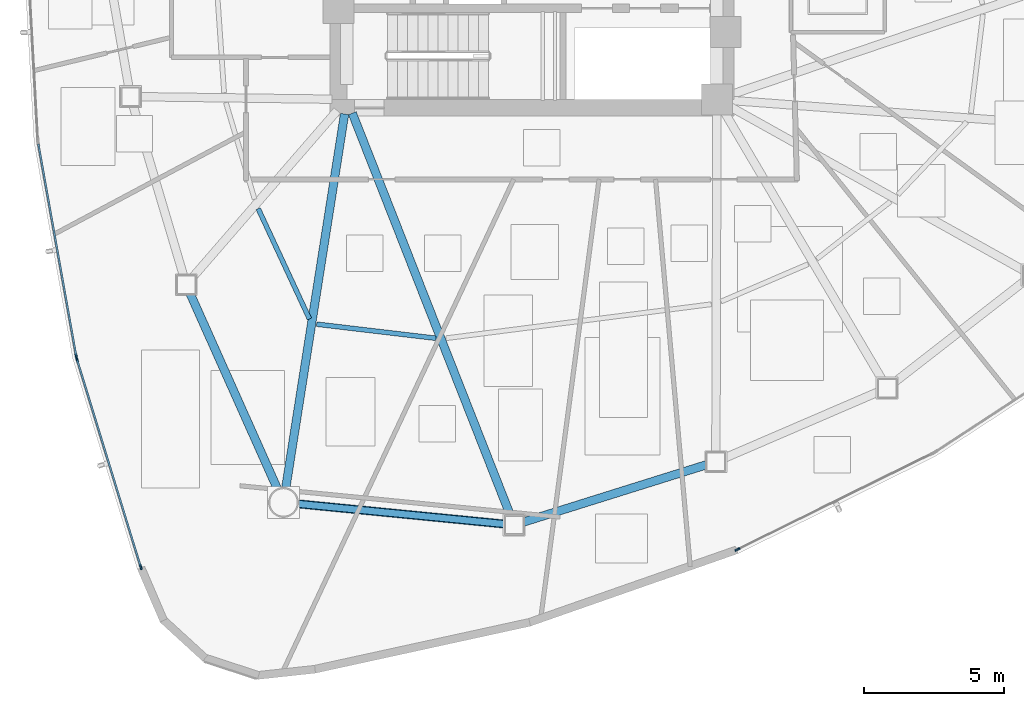
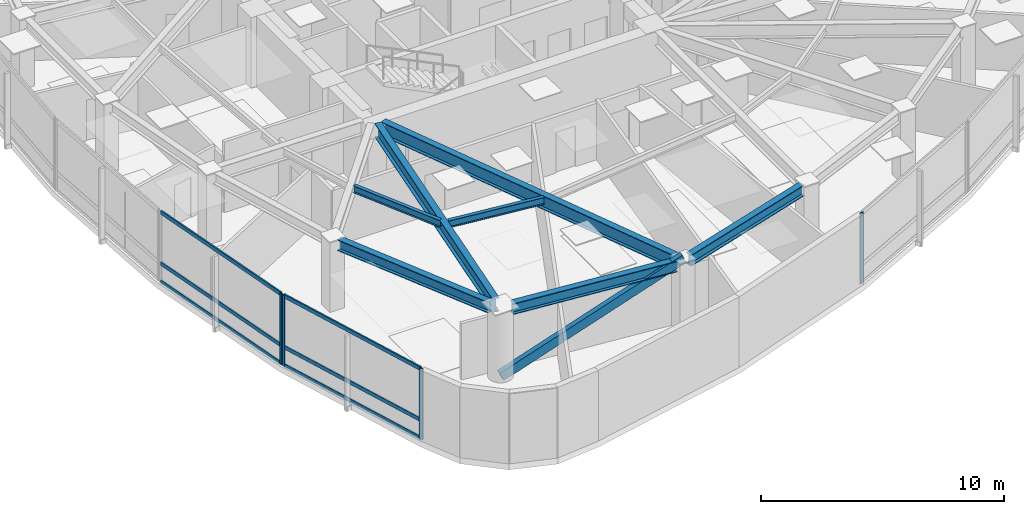
# One storey, part 2 of 18: 11 members, 7 beams, 3 elements without a shape of their own.
"""IFC4 building model written with IfcOpenShell, lengths in metres."""

from ifc_helpers import new_model, si_unit, direction, frame, origin, origin_2d, place, context, subcontext, project, spatial, hollow_rectangle, i_section, extrude, source, transform, mapped, material, layer, layer_set, material_profile, profile_set, type_object, type_shapes, element, aggregate, save


model = new_model("IFC4")

# Units and contexts
model_context = context("Model", 3, precision=1e-05, world=origin(), true_north=direction((0.0, 1.0)))
body_context = subcontext(model_context, "Body", "Model", "MODEL_VIEW")
ifc_project = project(units=[si_unit("LENGTHUNIT", "METRE"), si_unit("AREAUNIT", "SQUARE_METRE"), si_unit("VOLUMEUNIT", "CUBIC_METRE"), si_unit("PLANEANGLEUNIT", "RADIAN"), si_unit("MASSUNIT", "GRAM", prefix="KILO")], contexts=[model_context])

# Site, building, storey
site_placement = place(None, origin())
site = spatial("IfcSite", under=ifc_project, at=site_placement, CompositionType="ELEMENT")
building_placement = place(site_placement, origin())
building = spatial("IfcBuilding", under=site, at=building_placement, Name="Tavelor Broadcast Tower", CompositionType="ELEMENT")
storey_placement = place(building_placement, frame((0.0, 0.0, 157.949951171875)))
storey = spatial("IfcBuildingStorey", under=building, at=storey_placement, Name="L37", CompositionType="ELEMENT", Elevation=157.949951171875)

# Beams
ifc_material_1 = material(Name="Steel S355", Category="steel")
ifc_material_profile_1 = material_profile(ifc_material_1, i_section(OverallWidth=0.169921875, OverallDepth=0.360107421875, WebThickness=0.008056640625, FlangeThickness=0.0126953125, at=origin_2d()), Name="IPE 360")
ifc_profile_set_1 = profile_set([ifc_material_profile_1], Name="Steel S355")
beam_type_1 = type_object("IfcBeamType", Name="Composite Floor Joist T3 IPE 360", PredefinedType="JOIST", material=ifc_profile_set_1)
beam_1_placement = place(storey_placement, frame((40.237548828125, 34.901123046875, 3.3701171875), z_axis=(0.421480014114, -0.906837690936, 0.0), x_axis=(0.906837690936, 0.421480014114, 0.0)))
element("IfcBeam", 1, at=beam_1_placement, inside=storey, type_object=beam_type_1, Name="L37 Secondary Composite Floor Joist 06", PredefinedType="JOIST", context=body_context, shape_type="SweptSolid", body=[
    extrude(i_section(OverallWidth=0.169921875, OverallDepth=0.360107421875, WebThickness=0.008056640625, FlangeThickness=0.0126953125, at=origin_2d()), origin(), (0.0, 0.0, 1.0), 4.337890625),
])
beam_2_placement = place(storey_placement, frame((42.32177734375, 30.781982421875, 3.3701171875), z_axis=(0.993083165759, -0.117413056713, 0.0), x_axis=(0.117413056713, 0.993083165759, 0.0)))
element("IfcBeam", 2, at=beam_2_placement, inside=storey, type_object=beam_type_1, Name="L37 Secondary Composite Floor Joist 07", PredefinedType="JOIST", context=body_context, shape_type="SweptSolid", body=[
    extrude(i_section(OverallWidth=0.169921875, OverallDepth=0.360107421875, WebThickness=0.008056640625, FlangeThickness=0.0126953125, at=origin_2d()), origin(), (0.0, 0.0, 1.0), 4.285400390625),
])
ifc_material_profile_2 = material_profile(ifc_material_1, i_section(OverallWidth=0.300048828125, OverallDepth=0.550048828125, WebThickness=0.014892578125, FlangeThickness=0.029052734375, at=origin_2d()), Name="HEB 550")
ifc_profile_set_2 = profile_set([ifc_material_profile_2], Name="Steel S355")
beam_type_2 = type_object("IfcBeamType", Name="Perimeter Spandrel Beam T3 HEB 550", PredefinedType="SPANDREL", material=ifc_profile_set_2)
beam_3_placement = place(storey_placement, frame((37.80517578125, 31.883544921875, 3.275146484375), z_axis=(0.407977377403, -0.912992036946, 0.0), x_axis=(0.912992036946, 0.407977377403, 0.0)))
element("IfcBeam", 3, at=beam_3_placement, inside=storey, type_object=beam_type_2, Name="L37 Framed-Tube Ring Spandrel 06", PredefinedType="SPANDREL", context=body_context, shape_type="SweptSolid", body=[
    extrude(i_section(OverallWidth=0.300048828125, OverallDepth=0.550048828125, WebThickness=0.014892578125, FlangeThickness=0.029052734375, at=origin_2d()), origin(), (0.0, 0.0, 1.0), 7.658447265625),
])
beam_4_placement = place(storey_placement, frame((41.6484375, 24.373779296875, 3.275146484375), z_axis=(0.995250868203, -0.097343255237, 0.0), x_axis=(0.097343255237, 0.995250868203, 0.0)))
element("IfcBeam", 4, at=beam_4_placement, inside=storey, type_object=beam_type_2, Name="L37 Framed-Tube Ring Spandrel 07", PredefinedType="SPANDREL", context=body_context, shape_type="SweptSolid", body=[
    extrude(i_section(OverallWidth=0.300048828125, OverallDepth=0.550048828125, WebThickness=0.014892578125, FlangeThickness=0.029052734375, at=origin_2d()), origin(), (0.0, 0.0, 1.0), 7.418701171875),
])
beam_5_placement = place(storey_placement, frame((49.68701171875, 23.719482421875, 3.275146484375), z_axis=(0.954271632066, 0.29894088418, 0.0), x_axis=(-0.29894088418, 0.954271632066, 0.0)))
element("IfcBeam", 5, at=beam_5_placement, inside=storey, type_object=beam_type_2, Name="L37 Framed-Tube Ring Spandrel 08", PredefinedType="SPANDREL", context=body_context, shape_type="SweptSolid", body=[
    extrude(i_section(OverallWidth=0.300048828125, OverallDepth=0.550048828125, WebThickness=0.014892578125, FlangeThickness=0.029052734375, at=origin_2d()), origin(), (0.0, 0.0, 1.0), 6.867431640625),
])

# Member
ifc_material_profile_3 = material_profile(ifc_material_1, hollow_rectangle(XDim=0.25, YDim=0.449951171875, WallThickness=0.02001953125, at=origin_2d()), Name="RHS 450x250x20")
ifc_profile_set_3 = profile_set([ifc_material_profile_3], Name="Steel S355")
member_type_1 = type_object("IfcMemberType", Name="Perimeter Tube Brace T3 RHS 450x250x20", PredefinedType="BRACE", material=ifc_profile_set_3)
member_1_placement = place(storey_placement, frame((41.138671875, 24.423828125, 0.0), z_axis=(0.914496364203, -0.089466025126, 0.394578547577), x_axis=(0.097366094377, 0.995248634094, 0.0)))
element("IfcMember", 6, at=member_1_placement, inside=storey, type_object=member_type_1, Name="L37 Corner Tube Diagonal Brace 2", PredefinedType="BRACE", context=body_context, shape_type="SweptSolid", body=[
    extrude(hollow_rectangle(XDim=0.25, YDim=0.449951171875, WallThickness=0.02001953125, at=origin_2d()), origin(), (0.0, 0.0, 1.0), 8.9970703125),
])

# Beams
ifc_material_profile_4 = material_profile(ifc_material_1, i_section(OverallWidth=0.300048828125, OverallDepth=0.68994140625, WebThickness=0.014404296875, FlangeThickness=0.027099609375, at=origin_2d()), Name="HEA 700")
ifc_profile_set_4 = profile_set([ifc_material_profile_4], Name="Steel S355")
beam_type_3 = type_object("IfcBeamType", Name="Radial Floor Girder T3 HEA 700", PredefinedType="BEAM", material=ifc_profile_set_4)
beam_6_placement = place(storey_placement, frame((43.318115234375, 38.2783203125, 3.205078125), z_axis=(-0.1553975273, -0.987852017515, 0.0), x_axis=(0.987852017515, -0.1553975273, 0.0)))
element("IfcBeam", 7, at=beam_6_placement, inside=storey, type_object=beam_type_3, Name="L37 Radial Primary Floor Girder 07", PredefinedType="BEAM", context=body_context, shape_type="SweptSolid", body=[
    extrude(i_section(OverallWidth=0.300048828125, OverallDepth=0.68994140625, WebThickness=0.014404296875, FlangeThickness=0.027099609375, at=origin_2d()), origin(), (0.0, 0.0, 1.0), 13.5126953125),
])
beam_7_placement = place(storey_placement, frame((43.593017578125, 38.30859375, 3.205078125), z_axis=(0.365795149989, -0.930695389612, 0.0), x_axis=(0.930695389612, 0.365795149989, 0.0)))
element("IfcBeam", 8, at=beam_7_placement, inside=storey, type_object=beam_type_3, Name="L37 Radial Primary Floor Girder 08", PredefinedType="BEAM", context=body_context, shape_type="SweptSolid", body=[
    extrude(i_section(OverallWidth=0.300048828125, OverallDepth=0.68994140625, WebThickness=0.014404296875, FlangeThickness=0.027099609375, at=origin_2d()), origin(), (0.0, 0.0, 1.0), 15.447509765625),
])

# Curtain wall, member
ifc_material_2 = material(Name="Architectural Anodized Aluminium", Category="aluminium")
ifc_layer = layer(ifc_material_2, 0.18994140625)
ifc_layer_set = layer_set([ifc_layer], Name="Architectural Anodized Aluminium")
curtain_wall_type = type_object("IfcCurtainWallType", Name="Tower Mid-Zone Acoustic Curtain Wall CW03", PredefinedType="NOTDEFINED", material=ifc_layer_set)
curtain_wall_1_placement = place(storey_placement, origin())
curtain_wall_1 = element("IfcCurtainWall", 9, at=curtain_wall_1_placement, inside=storey, type_object=curtain_wall_type, Name="L37 Curtain Wall CW03 Run 387", PredefinedType="NOTDEFINED")
ifc_material_profile_5 = material_profile(ifc_material_2, hollow_rectangle(XDim=0.068115234375, YDim=0.18994140625, WallThickness=0.02197265625, at=origin_2d()), Name="RHS 68x190x22")
ifc_profile_set_5 = profile_set([ifc_material_profile_5], Name="Architectural Anodized Aluminium")
member_type_2 = type_object("IfcMemberType", Name="CW03 Extruded Aluminium Mullion 68x190", PredefinedType="MULLION", material=ifc_profile_set_5)
shared_shape_1 = source(origin(), body_context, "Body", "SweptSolid", [
    extrude(hollow_rectangle(XDim=0.068115234375, YDim=0.18994140625, WallThickness=0.02197265625, at=origin_2d()), origin(), (0.0, 0.0, 1.0), 3.550048828125),
])
type_shapes(member_type_2, [shared_shape_1])
member_2_placement = place(storey_placement, frame((33.748046875, 29.626708984375, 0.0), z_axis=(0.0, 0.0, 1.0), x_axis=(0.984424566127, 0.175807490189, 0.0)))
member_2 = element("IfcMember", 10, at=member_2_placement, type_object=member_type_2, Name="CW03 mullion 2", PredefinedType="MULLION", context=body_context, shape_type="MappedRepresentation", body=[
    mapped(shared_shape_1, transform((0.0, 0.0, 0.0), scale=1.0)),
])

# Curtain wall, members
curtain_wall_2_placement = place(storey_placement, origin())
curtain_wall_2 = element("IfcCurtainWall", 11, at=curtain_wall_2_placement, inside=storey, type_object=curtain_wall_type, Name="L37 Curtain Wall CW03 Run 388", PredefinedType="NOTDEFINED")
member_3_placement = place(storey_placement, frame((33.77099609375, 29.531494140625, 0.0), z_axis=(0.0, 0.0, 1.0), x_axis=(0.9559124472, 0.293651823232, 0.0)))
member_3 = element("IfcMember", 12, at=member_3_placement, type_object=member_type_2, Name="CW03 mullion 1", PredefinedType="MULLION", context=body_context, shape_type="MappedRepresentation", body=[
    mapped(shared_shape_1, transform((0.0, 0.0, 0.0), scale=1.0)),
])
member_4_placement = place(storey_placement, frame((36.047607421875, 22.120849609375, 0.0), z_axis=(0.0, 0.0, 1.0), x_axis=(0.9559124472, 0.293651823232, 0.0)))
member_4 = element("IfcMember", 13, at=member_4_placement, type_object=member_type_2, Name="CW03 mullion 2", PredefinedType="MULLION", context=body_context, shape_type="MappedRepresentation", body=[
    mapped(shared_shape_1, transform((0.0, 0.0, 0.0), scale=1.0)),
])

# Curtain wall, member
curtain_wall_3_placement = place(storey_placement, origin())
curtain_wall_3 = element("IfcCurtainWall", 14, at=curtain_wall_3_placement, inside=storey, type_object=curtain_wall_type, Name="L37 Curtain Wall CW03 Run 389", PredefinedType="NOTDEFINED")
member_5_placement = place(storey_placement, frame((57.33154296875, 22.742919921875, 0.0), z_axis=(0.0, 0.0, 1.0), x_axis=(-0.441895904807, 0.897066334958, 0.0)))
member_5 = element("IfcMember", 15, at=member_5_placement, type_object=member_type_2, Name="CW03 mullion 1", PredefinedType="MULLION", context=body_context, shape_type="MappedRepresentation", body=[
    mapped(shared_shape_1, transform((0.0, 0.0, 0.0), scale=1.0)),
])
aggregate(curtain_wall_3, [member_5])

# Member
ifc_material_profile_6 = material_profile(ifc_material_2, hollow_rectangle(XDim=0.068115234375, YDim=0.18994140625, WallThickness=0.02197265625, at=origin_2d()), Name="RHS 68x190x22")
ifc_profile_set_6 = profile_set([ifc_material_profile_6], Name="Architectural Anodized Aluminium")
member_type_3 = type_object("IfcMemberType", Name="CW03 Extruded Aluminium Transom 68x190", PredefinedType="USERDEFINED", material=ifc_profile_set_6)
shared_shape_2 = source(origin(), body_context, "Body", "SweptSolid", [
    extrude(hollow_rectangle(XDim=0.068115234375, YDim=0.18994140625, WallThickness=0.02197265625, at=origin_2d()), origin(), (0.0, 0.0, 1.0), 7.66845703125),
])
member_6_placement = place(storey_placement, frame((32.39404296875, 37.209228515625, 0.033935546875), z_axis=(0.175802759276, -0.984425411004, 0.0), x_axis=(0.984425411004, 0.175802759276, 0.0)))
member_6 = element("IfcMember", 16, at=member_6_placement, type_object=member_type_3, Name="CW03 transom 1.1", ObjectType="TRANSOM", PredefinedType="USERDEFINED", context=body_context, shape_type="MappedRepresentation", body=[
    mapped(shared_shape_2, transform((0.0, 0.0, 0.0), scale=1.0)),
])

member_7_placement = place(storey_placement, frame((32.39404296875, 37.209228515625, 0.949951171875), z_axis=(0.175802759276, -0.984425411004, 0.0), x_axis=(0.984425411004, 0.175802759276, 0.0)))
member_7 = element("IfcMember", 17, at=member_7_placement, type_object=member_type_3, Name="CW03 transom 1.2", ObjectType="TRANSOM", PredefinedType="USERDEFINED", context=body_context, shape_type="MappedRepresentation", body=[
    mapped(shared_shape_2, transform((0.0, 0.0, 0.0), scale=1.0)),
])

member_8_placement = place(storey_placement, frame((32.39404296875, 37.209228515625, 3.51611328125), z_axis=(0.175802759276, -0.984425411004, 0.0), x_axis=(0.984425411004, 0.175802759276, 0.0)))
member_8 = element("IfcMember", 18, at=member_8_placement, type_object=member_type_3, Name="CW03 transom 1.3", ObjectType="TRANSOM", PredefinedType="USERDEFINED", context=body_context, shape_type="MappedRepresentation", body=[
    mapped(shared_shape_2, transform((0.0, 0.0, 0.0), scale=1.0)),
])

aggregate(curtain_wall_1, [member_2, member_6, member_7, member_8])

shared_shape_3 = source(origin(), body_context, "Body", "SweptSolid", [
    extrude(hollow_rectangle(XDim=0.068115234375, YDim=0.18994140625, WallThickness=0.02197265625, at=origin_2d()), origin(), (0.0, 0.0, 1.0), 7.6845703125),
])
type_shapes(member_type_3, [shared_shape_2, shared_shape_3])
member_9_placement = place(storey_placement, frame((33.781005859375, 29.4990234375, 0.033935546875), z_axis=(0.293654941972, -0.955911489132, 0.0), x_axis=(0.955911489132, 0.293654941972, 0.0)))
member_9 = element("IfcMember", 19, at=member_9_placement, type_object=member_type_3, Name="CW03 transom 1.1", ObjectType="TRANSOM", PredefinedType="USERDEFINED", context=body_context, shape_type="MappedRepresentation", body=[
    mapped(shared_shape_3, transform((0.0, 0.0, 0.0), scale=1.0)),
])

member_10_placement = place(storey_placement, frame((33.781005859375, 29.4990234375, 0.949951171875), z_axis=(0.293654941972, -0.955911489132, 0.0), x_axis=(0.955911489132, 0.293654941972, 0.0)))
member_10 = element("IfcMember", 20, at=member_10_placement, type_object=member_type_3, Name="CW03 transom 1.2", ObjectType="TRANSOM", PredefinedType="USERDEFINED", context=body_context, shape_type="MappedRepresentation", body=[
    mapped(shared_shape_3, transform((0.0, 0.0, 0.0), scale=1.0)),
])

member_11_placement = place(storey_placement, frame((33.781005859375, 29.4990234375, 3.51611328125), z_axis=(0.293654941972, -0.955911489132, 0.0), x_axis=(0.955911489132, 0.293654941972, 0.0)))
member_11 = element("IfcMember", 21, at=member_11_placement, type_object=member_type_3, Name="CW03 transom 1.3", ObjectType="TRANSOM", PredefinedType="USERDEFINED", context=body_context, shape_type="MappedRepresentation", body=[
    mapped(shared_shape_3, transform((0.0, 0.0, 0.0), scale=1.0)),
])

aggregate(curtain_wall_2, [member_3, member_4, member_9, member_10, member_11])

save(model, "model.ifc")
